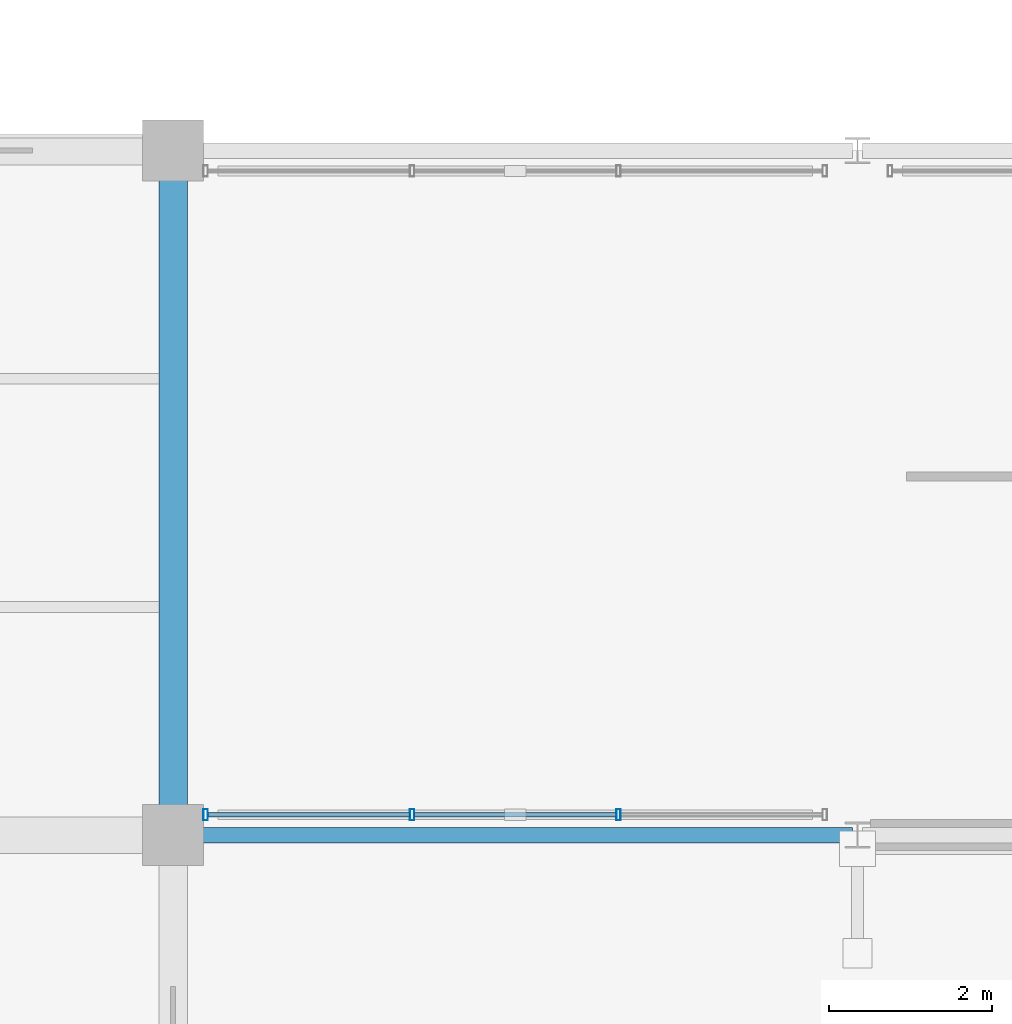
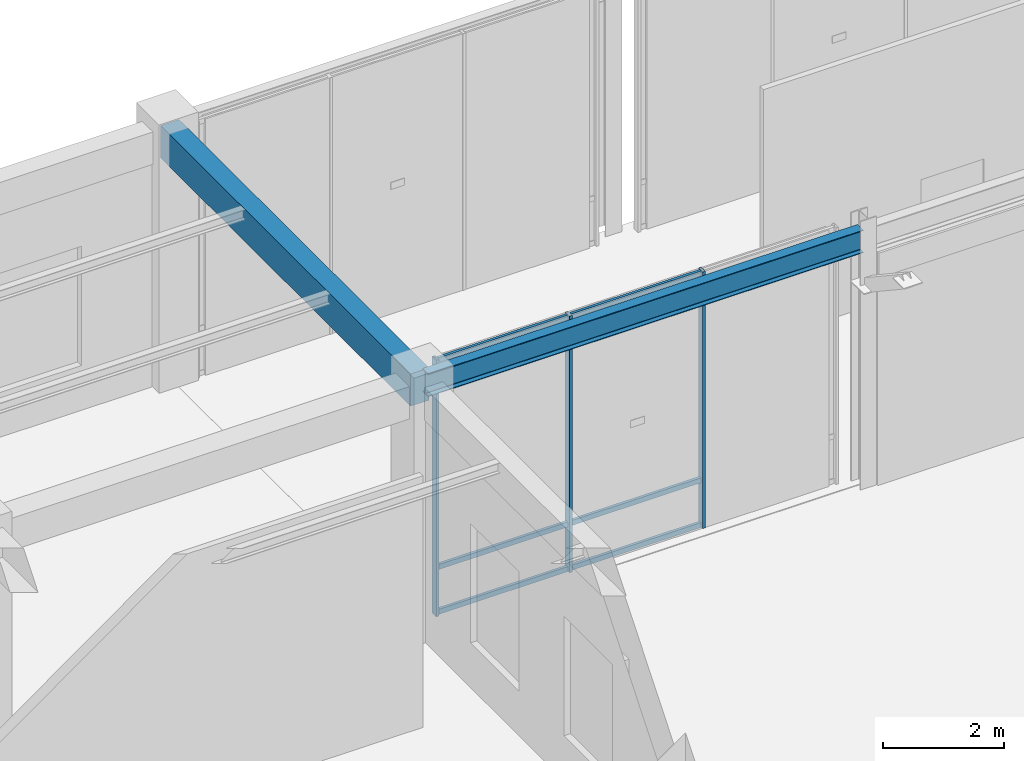
# One storey, part 24 of 157: 9 members, 2 beams, 1 element without a shape of its own.
"""IFC4 building model written with IfcOpenShell, lengths in metres."""

from ifc_helpers import new_model, si_unit, direction, frame, origin, origin_2d, place, context, subcontext, project, spatial, rectangle, hollow_rectangle, i_section, extrude, material, material_profile, profile_set, type_object, element, aggregate, save


model = new_model("IFC4")

# Units and contexts
model_context = context("Model", 3, precision=1e-05, world=origin(), true_north=direction((0.0, 1.0)))
body_context = subcontext(model_context, "Body", "Model", "MODEL_VIEW")
ifc_project = project(units=[si_unit("LENGTHUNIT", "METRE"), si_unit("AREAUNIT", "SQUARE_METRE"), si_unit("VOLUMEUNIT", "CUBIC_METRE"), si_unit("PLANEANGLEUNIT", "RADIAN"), si_unit("MASSUNIT", "GRAM", prefix="KILO"), si_unit("THERMODYNAMICTEMPERATUREUNIT", "KELVIN"), si_unit("POWERUNIT", "WATT")], contexts=[model_context])

# Site, building, storey
site_placement = place(None, origin())
site = spatial("IfcSite", under=ifc_project, at=site_placement, CompositionType="ELEMENT")
building_placement = place(site_placement, origin())
building = spatial("IfcBuilding", under=site, at=building_placement, Name="Darbajah Civic Hall", CompositionType="ELEMENT")
storey_placement = place(building_placement, origin())
storey = spatial("IfcBuildingStorey", under=building, at=storey_placement, Name="L00", CompositionType="ELEMENT", Elevation=0.0)

# Curtain wall, members
ifc_material_1 = material(Name="Anodised Bronze Aluminium and Low-E Glazing", Category="aluminium")
curtain_wall_type = type_object("IfcCurtainWallType", Name="Unitised Curtain Wall CW-101 7600x5150", PredefinedType="USERDEFINED", material=ifc_material_1)
curtain_wall_placement = place(storey_placement, origin())
curtain_wall = element("IfcCurtainWall", 1, at=curtain_wall_placement, inside=storey, type_object=curtain_wall_type, Name="L00 unitised curtain wall CW-V6-SW-S-L00", ObjectType="UNITISED CURTAIN WALL", PredefinedType="USERDEFINED")
ifc_material_2 = material(Name="Anodised Bronze Aluminium", Category="aluminium")
ifc_material_profile_1 = material_profile(ifc_material_2, hollow_rectangle(XDim=0.054931640625, YDim=0.139892578125, WallThickness=0.003173828125, at=origin_2d()), Name="ALU MULLION 55x140")
ifc_profile_set_1 = profile_set([ifc_material_profile_1], Name="Anodised Bronze Aluminium")
member_type_1 = type_object("IfcMemberType", Name="ALU MULLION 55x140", PredefinedType="MULLION", material=ifc_profile_set_1)
member_1_placement = place(storey_placement, frame((67.60009765625, 33.85009765625, 0.0), z_axis=(0.0, 0.0, 1.0), x_axis=(1.0, 0.0, 0.0)))
member_1 = element("IfcMember", 2, at=member_1_placement, type_object=member_type_1, Name="CW-V6-SW-S-L00 mullion 1", PredefinedType="MULLION", context=body_context, shape_type="SweptSolid", body=[
    extrude(hollow_rectangle(XDim=0.054931640625, YDim=0.139892578125, WallThickness=0.003173828125, at=origin_2d()), origin(), (0.0, 0.0, 1.0), 5.159912109375),
])
member_2_placement = place(storey_placement, frame((70.13330078125, 33.85009765625, 0.0), z_axis=(0.0, 0.0, 1.0), x_axis=(1.0, 0.0, 0.0)))
member_2 = element("IfcMember", 3, at=member_2_placement, type_object=member_type_1, Name="CW-V6-SW-S-L00 mullion 2", PredefinedType="MULLION", context=body_context, shape_type="SweptSolid", body=[
    extrude(hollow_rectangle(XDim=0.054931640625, YDim=0.139892578125, WallThickness=0.003173828125, at=origin_2d()), origin(), (0.0, 0.0, 1.0), 5.159912109375),
])
member_3_placement = place(storey_placement, frame((72.666748046875, 33.85009765625, 0.0), z_axis=(0.0, 0.0, 1.0), x_axis=(1.0, 0.0, 0.0)))
member_3 = element("IfcMember", 4, at=member_3_placement, type_object=member_type_1, Name="CW-V6-SW-S-L00 mullion 3", PredefinedType="MULLION", context=body_context, shape_type="SweptSolid", body=[
    extrude(hollow_rectangle(XDim=0.054931640625, YDim=0.139892578125, WallThickness=0.003173828125, at=origin_2d()), origin(), (0.0, 0.0, 1.0), 5.159912109375),
])
ifc_material_profile_2 = material_profile(ifc_material_2, hollow_rectangle(XDim=0.054931640625, YDim=0.10009765625, WallThickness=0.0029296875, at=origin_2d()), Name="ALU TRANSOM 55x100")
ifc_profile_set_2 = profile_set([ifc_material_profile_2], Name="Anodised Bronze Aluminium")
member_type_2 = type_object("IfcMemberType", Name="ALU TRANSOM 55x100", PredefinedType="USERDEFINED", material=ifc_profile_set_2)
member_4_placement = place(storey_placement, frame((67.632568359375, 33.85009765625, 0.050048828125), z_axis=(1.0, 0.0, 0.0), x_axis=(0.0, 1.0, 0.0)))
member_4 = element("IfcMember", 5, at=member_4_placement, type_object=member_type_2, Name="CW-V6-SW-S-L00 transom 1.1", ObjectType="TRANSOM", PredefinedType="USERDEFINED", context=body_context, shape_type="SweptSolid", body=[
    extrude(hollow_rectangle(XDim=0.054931640625, YDim=0.10009765625, WallThickness=0.0029296875, at=origin_2d()), origin(), (0.0, 0.0, 1.0), 2.46826171875),
])
member_5_placement = place(storey_placement, frame((67.632568359375, 33.85009765625, 0.949951171875), z_axis=(1.0, 0.0, 0.0), x_axis=(0.0, 1.0, 0.0)))
member_5 = element("IfcMember", 6, at=member_5_placement, type_object=member_type_2, Name="CW-V6-SW-S-L00 transom 1.2", ObjectType="TRANSOM", PredefinedType="USERDEFINED", context=body_context, shape_type="SweptSolid", body=[
    extrude(hollow_rectangle(XDim=0.054931640625, YDim=0.10009765625, WallThickness=0.0029296875, at=origin_2d()), origin(), (0.0, 0.0, 1.0), 2.46826171875),
])
member_6_placement = place(storey_placement, frame((67.632568359375, 33.85009765625, 5.110107421875), z_axis=(1.0, 0.0, 0.0), x_axis=(0.0, 1.0, 0.0)))
member_6 = element("IfcMember", 7, at=member_6_placement, type_object=member_type_2, Name="CW-V6-SW-S-L00 transom 1.3", ObjectType="TRANSOM", PredefinedType="USERDEFINED", context=body_context, shape_type="SweptSolid", body=[
    extrude(hollow_rectangle(XDim=0.054931640625, YDim=0.10009765625, WallThickness=0.0029296875, at=origin_2d()), origin(), (0.0, 0.0, 1.0), 2.46826171875),
])
member_7_placement = place(storey_placement, frame((70.165771484375, 33.85009765625, 0.050048828125), z_axis=(1.0, 0.0, 0.0), x_axis=(0.0, 1.0, 0.0)))
member_7 = element("IfcMember", 8, at=member_7_placement, type_object=member_type_2, Name="CW-V6-SW-S-L00 transom 2.1", ObjectType="TRANSOM", PredefinedType="USERDEFINED", context=body_context, shape_type="SweptSolid", body=[
    extrude(hollow_rectangle(XDim=0.054931640625, YDim=0.10009765625, WallThickness=0.0029296875, at=origin_2d()), origin(), (0.0, 0.0, 1.0), 2.468505859375),
])
member_8_placement = place(storey_placement, frame((70.165771484375, 33.85009765625, 0.949951171875), z_axis=(1.0, 0.0, 0.0), x_axis=(0.0, 1.0, 0.0)))
member_8 = element("IfcMember", 9, at=member_8_placement, type_object=member_type_2, Name="CW-V6-SW-S-L00 transom 2.2", ObjectType="TRANSOM", PredefinedType="USERDEFINED", context=body_context, shape_type="SweptSolid", body=[
    extrude(hollow_rectangle(XDim=0.054931640625, YDim=0.10009765625, WallThickness=0.0029296875, at=origin_2d()), origin(), (0.0, 0.0, 1.0), 2.468505859375),
])
member_9_placement = place(storey_placement, frame((70.165771484375, 33.85009765625, 5.110107421875), z_axis=(1.0, 0.0, 0.0), x_axis=(0.0, 1.0, 0.0)))
member_9 = element("IfcMember", 10, at=member_9_placement, type_object=member_type_2, Name="CW-V6-SW-S-L00 transom 2.3", ObjectType="TRANSOM", PredefinedType="USERDEFINED", context=body_context, shape_type="SweptSolid", body=[
    extrude(hollow_rectangle(XDim=0.054931640625, YDim=0.10009765625, WallThickness=0.0029296875, at=origin_2d()), origin(), (0.0, 0.0, 1.0), 2.468505859375),
])
aggregate(curtain_wall, [member_1, member_2, member_3, member_4, member_5, member_6, member_7, member_8, member_9])

# Beams
ifc_material_3 = material(Name="Concrete C45/55", Category="concrete")
ifc_material_profile_3 = material_profile(ifc_material_3, rectangle(XDim=0.35009765625, YDim=0.64990234375, at=origin_2d()), Name="RC SPANDREL 350x650")
ifc_profile_set_3 = profile_set([ifc_material_profile_3], Name="Concrete C45/55")
beam_type_1 = type_object("IfcBeamType", Name="RC SPANDREL 350x650", PredefinedType="SPANDREL", material=ifc_profile_set_3)
beam_1_placement = place(storey_placement, frame((67.199951171875, 33.679931640625, 4.81494140625), z_axis=(0.0, 1.0, 0.0), x_axis=(-1.0, 0.0, 0.0)))
element("IfcBeam", 11, at=beam_1_placement, inside=storey, type_object=beam_type_1, Name="L00 beam SP-3565", PredefinedType="SPANDREL", context=body_context, shape_type="SweptSolid", body=[
    extrude(rectangle(XDim=0.35009765625, YDim=0.64990234375, at=origin_2d()), origin(), (0.0, 0.0, 1.0), 8.239990234375),
])
ifc_material_4 = material(Name="Steel S355JR", Category="steel")
ifc_material_profile_4 = material_profile(ifc_material_4, i_section(OverallWidth=0.1904296875, OverallDepth=0.45703125, WebThickness=0.009033203125, FlangeThickness=0.014404296875, FilletRadius=0.01025390625, at=origin_2d()), Name="UB 457x191x74")
ifc_profile_set_4 = profile_set([ifc_material_profile_4], Name="Steel S355JR")
beam_type_2 = type_object("IfcBeamType", Name="UB 457x191x74", PredefinedType="BEAM", material=ifc_profile_set_4)
beam_2_placement = place(storey_placement, frame((67.260009765625, 33.60009765625, 4.931396484375), z_axis=(1.0, 0.0, 0.0), x_axis=(0.0, 1.0, 0.0)))
element("IfcBeam", 12, at=beam_2_placement, inside=storey, type_object=beam_type_2, Name="L00 beam SB-457", PredefinedType="BEAM", context=body_context, shape_type="SweptSolid", body=[
    extrude(i_section(OverallWidth=0.1904296875, OverallDepth=0.45703125, WebThickness=0.009033203125, FlangeThickness=0.014404296875, FilletRadius=0.01025390625, at=origin_2d()), origin(), (0.0, 0.0, 1.0), 8.280029296875),
])

save(model, "model.ifc")
